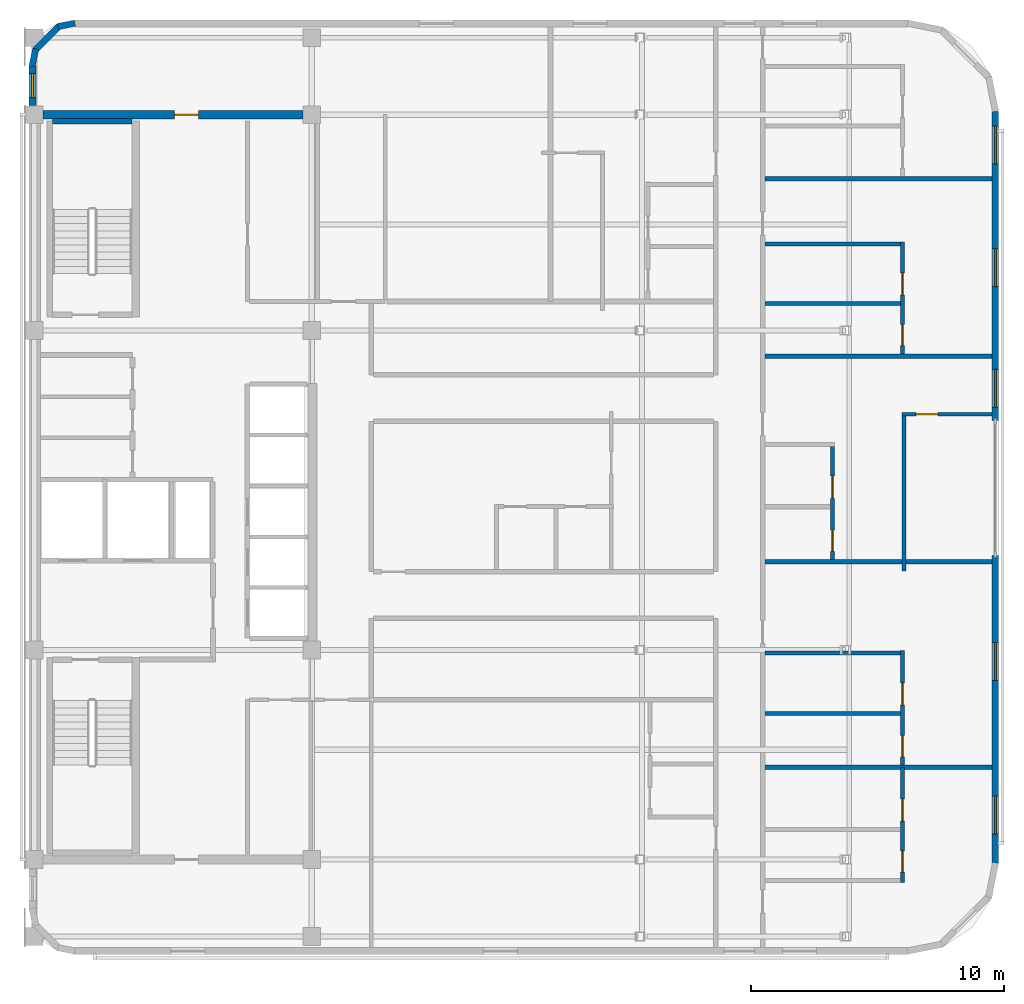
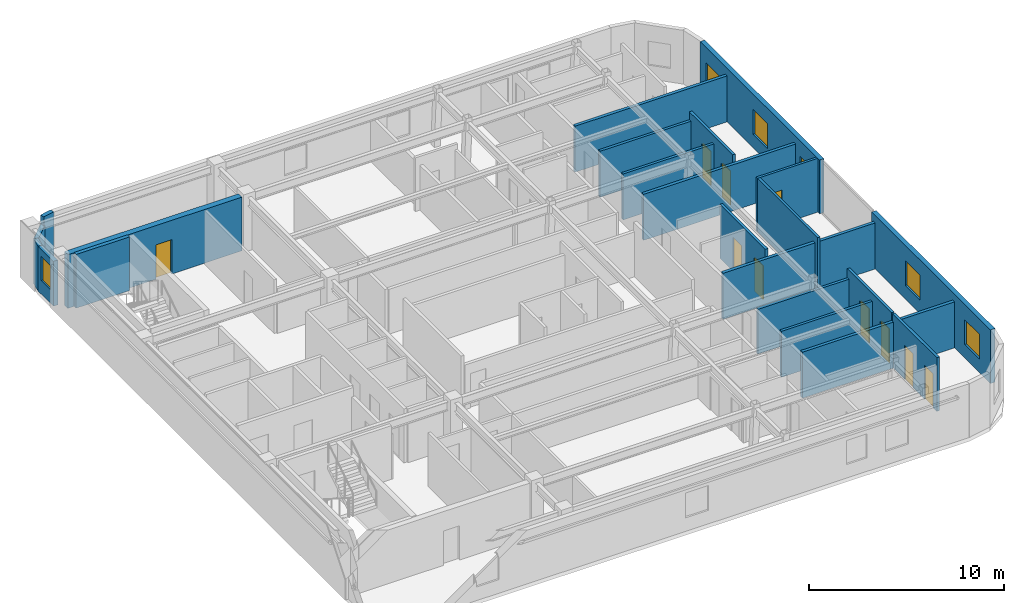
# One storey, part 6 of 10: 22 walls, 10 doors, 6 windows, 16 openings.
"""IFC4 building model written with IfcOpenShell, lengths in metres."""

from ifc_helpers import new_model, si_unit, direction, frame, frame_2d, origin, place, context, subcontext, project, spatial, rectangle, extrude, material, layer, layer_set, type_object, element, fill, save


model = new_model("IFC4")

# Units and contexts
model_context = context("Model", 3, precision=1e-05, world=origin(), true_north=direction((0.0, 1.0)))
body_context = subcontext(model_context, "Body", "Model", "MODEL_VIEW")
ifc_project = project(units=[si_unit("LENGTHUNIT", "METRE"), si_unit("AREAUNIT", "SQUARE_METRE"), si_unit("VOLUMEUNIT", "CUBIC_METRE"), si_unit("PLANEANGLEUNIT", "RADIAN"), si_unit("MASSUNIT", "GRAM", prefix="KILO")], contexts=[model_context])

# Site, building, storey
site_placement = place(None, origin())
site = spatial("IfcSite", under=ifc_project, at=site_placement, CompositionType="ELEMENT")
building_placement = place(site_placement, origin())
building = spatial("IfcBuilding", under=site, at=building_placement, Name="Ochreholt Gables", CompositionType="ELEMENT")
storey_placement = place(building_placement, frame((0.0, 0.0, 235.199951171875)))
storey = spatial("IfcBuildingStorey", under=building, at=storey_placement, Name="L61", CompositionType="ELEMENT", Elevation=235.199951171875)

# Wall, opening, door
ifc_material_1 = material(Name="Concrete 50 MPa", Category="concrete")
ifc_layer_1 = layer(ifc_material_1, 0.35009765625, Name="Concrete 50 MPa")
ifc_layer_set_1 = layer_set([ifc_layer_1], Name="Concrete 50 MPa")
wall_type_1 = type_object("IfcWallType", Name="WALL-CSW-350", PredefinedType="SHEAR", material=ifc_layer_set_1)
wall_1_placement = place(storey_placement, frame((24.550048828125, 38.75, 0.0), z_axis=(0.0, 0.0, 1.0), x_axis=(1.0, 0.0, 0.0)))
wall_1 = element("IfcWall", 1, at=wall_1_placement, inside=storey, type_object=wall_type_1, Name="L61 Core North Shear Wall", PredefinedType="SHEAR", context=body_context, shape_type="SweptSolid", body=[
    extrude(rectangle(XDim=10.300048828125, YDim=0.35009765625, at=frame_2d((5.14990234375, 0.0))), origin(), (0.0, 0.0, 1.0), 3.360107421875),
])
opening_1_placement = place(wall_1_placement, frame((5.199951171875, 0.0, 0.0)))
opening_1 = element("IfcOpeningElement", 2, at=opening_1_placement, cuts=wall_1, Name="Opening D-FL2", PredefinedType="OPENING", context=body_context, shape_type="SweptSolid", body=[
    extrude(rectangle(XDim=0.949951171875, YDim=2.14990234375, at=frame_2d((0.47509765625, 1.074951171875))), frame((0.0, 0.18505859375, 0.0), z_axis=(0.0, -1.0, 0.0), x_axis=(1.0, 0.0, 0.0)), (0.0, 0.0, 1.0), 0.3701171875),
])
ifc_material_2 = material(Name="Hollow Metal Steel", Category="steel")
door_type_1 = type_object("IfcDoorType", Name="DR-INT-FLB950", OperationType="NOTDEFINED", PredefinedType="DOOR", material=ifc_material_2)
door_1_placement = place(opening_1_placement, origin())
door_1 = element("IfcDoor", 3, at=door_1_placement, inside=storey, type_object=door_type_1, Name="L61 Door D-C3NSR-L61", OperationType="SINGLE_SWING_RIGHT", OverallHeight=2.14990234375, OverallWidth=0.949951171875, PredefinedType="DOOR", context=body_context, shape_type="SweptSolid", body=[
    extrude(rectangle(XDim=0.949951171875, YDim=2.14990234375, at=frame_2d((0.47509765625, 1.074951171875))), frame((0.0, 0.02490234375, 0.0), z_axis=(0.0, -1.0, 0.0), x_axis=(1.0, 0.0, 0.0)), (0.0, 0.0, 1.0), 0.050048828125),
])
fill(opening_1, door_1)

# Wall, openings, windows
ifc_material_3 = material(Name="Precast concrete 40 MPa", Category="concrete")
ifc_layer_2 = layer(ifc_material_3, 0.27001953125, Name="Precast concrete 40 MPa")
ifc_layer_set_2 = layer_set([ifc_layer_2], Name="Precast concrete 40 MPa")
wall_type_2 = type_object("IfcWallType", Name="WALL-EXT-270", PredefinedType="SOLIDWALL", material=ifc_layer_set_2)
wall_2_placement = place(storey_placement, frame((62.264892578125, 9.1201171875, 0.0), z_axis=(0.0, 0.0, 1.0), x_axis=(0.0, 1.0, 0.0)))
wall_2 = element("IfcWall", 4, at=wall_2_placement, inside=storey, type_object=wall_type_2, Name="L61 East Facade Wall 1", PredefinedType="SOLIDWALL", context=body_context, shape_type="SweptSolid", body=[
    extrude(rectangle(XDim=12.169921875, YDim=0.27001953125, at=frame_2d((6.0849609375, 0.0))), origin(), (0.0, 0.0, 1.0), 3.360107421875),
])
opening_2_placement = place(wall_2_placement, frame((1.139892578125, 0.0, 0.85009765625)))
opening_2 = element("IfcOpeningElement", 5, at=opening_2_placement, cuts=wall_2, Name="Opening WN-2", PredefinedType="OPENING", context=body_context, shape_type="SweptSolid", body=[
    extrude(rectangle(XDim=1.5, YDim=1.550048828125, at=frame_2d((0.75, 0.77490234375))), frame((0.0, 0.14501953125, 0.0), z_axis=(0.0, -1.0, 0.0), x_axis=(1.0, 0.0, 0.0)), (0.0, 0.0, 1.0), 0.2900390625),
])
opening_3_placement = place(wall_2_placement, frame((7.22509765625, 0.0, 0.85009765625)))
opening_3 = element("IfcOpeningElement", 6, at=opening_3_placement, cuts=wall_2, Name="Opening WN-2", PredefinedType="OPENING", context=body_context, shape_type="SweptSolid", body=[
    extrude(rectangle(XDim=1.5, YDim=1.550048828125, at=frame_2d((0.75, 0.77490234375))), frame((0.0, 0.14501953125, 0.0), z_axis=(0.0, -1.0, 0.0), x_axis=(1.0, 0.0, 0.0)), (0.0, 0.0, 1.0), 0.2900390625),
])
ifc_material_4 = material(Name="Triple-Glazed Thermally Broken Aluminium Window", Category="aluminium")
window_type_1 = type_object("IfcWindowType", Name="WIN-RES-1500", PartitioningType="SINGLE_PANEL", PredefinedType="WINDOW", material=ifc_material_4)
window_1_placement = place(opening_2_placement, origin())
window_1 = element("IfcWindow", 7, at=window_1_placement, inside=storey, type_object=window_type_1, Name="L61 Window W-EXT-E1-L61-1", OverallHeight=1.550048828125, OverallWidth=1.5, PartitioningType="SINGLE_PANEL", PredefinedType="WINDOW", context=body_context, shape_type="SweptSolid", body=[
    extrude(rectangle(XDim=1.5, YDim=1.550048828125, at=frame_2d((0.75, 0.77490234375))), frame((0.0, 0.030029296875, 0.0), z_axis=(0.0, -1.0, 0.0), x_axis=(1.0, 0.0, 0.0)), (0.0, 0.0, 1.0), 0.06005859375),
])
fill(opening_2, window_1)
window_2_placement = place(opening_3_placement, origin())
window_2 = element("IfcWindow", 8, at=window_2_placement, inside=storey, type_object=window_type_1, Name="L61 Window W-EXT-E1-L61-2", OverallHeight=1.550048828125, OverallWidth=1.5, PartitioningType="SINGLE_PANEL", PredefinedType="WINDOW", context=body_context, shape_type="SweptSolid", body=[
    extrude(rectangle(XDim=1.5, YDim=1.550048828125, at=frame_2d((0.75, 0.77490234375))), frame((0.0, 0.030029296875, 0.0), z_axis=(0.0, -1.0, 0.0), x_axis=(1.0, 0.0, 0.0)), (0.0, 0.0, 1.0), 0.06005859375),
])
fill(opening_3, window_2)

wall_3_placement = place(storey_placement, frame((62.264892578125, 26.639892578125, 0.0), z_axis=(0.0, 0.0, 1.0), x_axis=(0.0, 1.0, 0.0)))
wall_3 = element("IfcWall", 9, at=wall_3_placement, inside=storey, type_object=wall_type_2, Name="L61 East Facade Wall 2", PredefinedType="SOLIDWALL", context=body_context, shape_type="SweptSolid", body=[
    extrude(rectangle(XDim=12.239990234375, YDim=0.27001953125, at=frame_2d((6.1201171875, 0.0))), origin(), (0.0, 0.0, 1.0), 3.360107421875),
])
opening_4_placement = place(wall_3_placement, frame((0.52001953125, 0.0, 0.85009765625)))
opening_4 = element("IfcOpeningElement", 10, at=opening_4_placement, cuts=wall_3, Name="Opening WN-2", PredefinedType="OPENING", context=body_context, shape_type="SweptSolid", body=[
    extrude(rectangle(XDim=1.5, YDim=1.550048828125, at=frame_2d((0.75, 0.77490234375))), frame((0.0, 0.14501953125, 0.0), z_axis=(0.0, -1.0, 0.0), x_axis=(1.0, 0.0, 0.0)), (0.0, 0.0, 1.0), 0.2900390625),
])
opening_5_placement = place(wall_3_placement, frame((5.304931640625, 0.0, 0.85009765625)))
opening_5 = element("IfcOpeningElement", 11, at=opening_5_placement, cuts=wall_3, Name="Opening WN-2", PredefinedType="OPENING", context=body_context, shape_type="SweptSolid", body=[
    extrude(rectangle(XDim=1.5, YDim=1.550048828125, at=frame_2d((0.75, 0.77490234375))), frame((0.0, 0.14501953125, 0.0), z_axis=(0.0, -1.0, 0.0), x_axis=(1.0, 0.0, 0.0)), (0.0, 0.0, 1.0), 0.2900390625),
])
opening_6_placement = place(wall_3_placement, frame((10.155029296875, 0.0, 0.85009765625)))
opening_6 = element("IfcOpeningElement", 12, at=opening_6_placement, cuts=wall_3, Name="Opening WN-2", PredefinedType="OPENING", context=body_context, shape_type="SweptSolid", body=[
    extrude(rectangle(XDim=1.5, YDim=1.550048828125, at=frame_2d((0.75, 0.77490234375))), frame((0.0, 0.14501953125, 0.0), z_axis=(0.0, -1.0, 0.0), x_axis=(1.0, 0.0, 0.0)), (0.0, 0.0, 1.0), 0.2900390625),
])
window_3_placement = place(opening_4_placement, origin())
window_3 = element("IfcWindow", 13, at=window_3_placement, inside=storey, type_object=window_type_1, Name="L61 Window W-EXT-E2-L61-1", OverallHeight=1.550048828125, OverallWidth=1.5, PartitioningType="SINGLE_PANEL", PredefinedType="WINDOW", context=body_context, shape_type="SweptSolid", body=[
    extrude(rectangle(XDim=1.5, YDim=1.550048828125, at=frame_2d((0.75, 0.77490234375))), frame((0.0, 0.030029296875, 0.0), z_axis=(0.0, -1.0, 0.0), x_axis=(1.0, 0.0, 0.0)), (0.0, 0.0, 1.0), 0.06005859375),
])
fill(opening_4, window_3)
window_4_placement = place(opening_5_placement, origin())
window_4 = element("IfcWindow", 14, at=window_4_placement, inside=storey, type_object=window_type_1, Name="L61 Window W-EXT-E2-L61-2", OverallHeight=1.550048828125, OverallWidth=1.5, PartitioningType="SINGLE_PANEL", PredefinedType="WINDOW", context=body_context, shape_type="SweptSolid", body=[
    extrude(rectangle(XDim=1.5, YDim=1.550048828125, at=frame_2d((0.75, 0.77490234375))), frame((0.0, 0.030029296875, 0.0), z_axis=(0.0, -1.0, 0.0), x_axis=(1.0, 0.0, 0.0)), (0.0, 0.0, 1.0), 0.06005859375),
])
fill(opening_5, window_4)
window_5_placement = place(opening_6_placement, origin())
window_5 = element("IfcWindow", 15, at=window_5_placement, inside=storey, type_object=window_type_1, Name="L61 Window W-EXT-E2-L61-3", OverallHeight=1.550048828125, OverallWidth=1.5, PartitioningType="SINGLE_PANEL", PredefinedType="WINDOW", context=body_context, shape_type="SweptSolid", body=[
    extrude(rectangle(XDim=1.5, YDim=1.550048828125, at=frame_2d((0.75, 0.77490234375))), frame((0.0, 0.030029296875, 0.0), z_axis=(0.0, -1.0, 0.0), x_axis=(1.0, 0.0, 0.0)), (0.0, 0.0, 1.0), 0.06005859375),
])
fill(opening_6, window_5)

# Wall, opening, window
wall_4_placement = place(storey_placement, frame((24.135009765625, 39.1201171875, 0.0), z_axis=(0.0, 0.0, 1.0), x_axis=(0.0, 1.0, 0.0)))
wall_4 = element("IfcWall", 16, at=wall_4_placement, inside=storey, type_object=wall_type_2, Name="L61 West Facade North Bay Wall", PredefinedType="SOLIDWALL", context=body_context, shape_type="SweptSolid", body=[
    extrude(rectangle(XDim=1.559814453125, YDim=0.27001953125, at=frame_2d((0.77978515625, 0.0))), origin(), (0.0, 0.0, 1.0), 2.802978515625),
])
opening_7_placement = place(wall_4_placement, frame((0.304931640625, 0.0, 0.85009765625)))
opening_7 = element("IfcOpeningElement", 17, at=opening_7_placement, cuts=wall_4, Name="Opening WN-10", PredefinedType="OPENING", context=body_context, shape_type="SweptSolid", body=[
    extrude(rectangle(XDim=0.949951171875, YDim=1.5, at=frame_2d((0.47509765625, 0.75))), frame((0.0, 0.14501953125, 0.0), z_axis=(0.0, -1.0, 0.0), x_axis=(1.0, 0.0, 0.0)), (0.0, 0.0, 1.0), 0.2900390625),
])
window_type_2 = type_object("IfcWindowType", Name="WIN-RES-950", PartitioningType="SINGLE_PANEL", PredefinedType="WINDOW", material=ifc_material_4)
window_6_placement = place(opening_7_placement, origin())
window_6 = element("IfcWindow", 18, at=window_6_placement, inside=storey, type_object=window_type_2, Name="L61 North Sky Reading West Window", OverallHeight=1.5, OverallWidth=0.949951171875, PartitioningType="SINGLE_PANEL", PredefinedType="WINDOW", context=body_context, shape_type="SweptSolid", body=[
    extrude(rectangle(XDim=0.949951171875, YDim=1.5, at=frame_2d((0.47509765625, 0.75))), frame((0.0, 0.030029296875, 0.0), z_axis=(0.0, -1.0, 0.0), x_axis=(1.0, 0.0, 0.0)), (0.0, 0.0, 1.0), 0.06005859375),
])
fill(opening_7, window_6)

# Walls
ifc_layer_3 = layer(ifc_material_3, 0.25, Name="Precast concrete 40 MPa")
ifc_layer_set_3 = layer_set([ifc_layer_3], Name="Precast concrete 40 MPa")
wall_type_3 = type_object("IfcWallType", Name="WALL-EXT-CNR", PredefinedType="SOLIDWALL", material=ifc_layer_set_3)
wall_5_placement = place(storey_placement, frame((25.81640625, 42.375732421875, 0.0), z_axis=(0.0, 0.0, 1.0), x_axis=(-0.980812594069, -0.194952956674, 0.0)))
element("IfcWall", 19, at=wall_5_placement, inside=storey, type_object=wall_type_3, Name="L61 Rounded Corner Wall NW-1", PredefinedType="SOLIDWALL", context=body_context, shape_type="SweptSolid", body=[
    extrude(rectangle(XDim=0.686279296875, YDim=0.25, at=frame_2d((0.34326171875, 0.0))), origin(), (0.0, 0.0, 1.0), 3.360107421875),
])
wall_6_placement = place(storey_placement, frame((25.19384765625, 42.26904296875, 0.0), z_axis=(0.0, 0.0, 1.0), x_axis=(-0.707106781187, -0.707106781187, 0.0)))
element("IfcWall", 20, at=wall_6_placement, inside=storey, type_object=wall_type_3, Name="L61 Rounded Corner Wall NW-2", PredefinedType="SOLIDWALL", context=body_context, shape_type="SweptSolid", body=[
    extrude(rectangle(XDim=1.36181640625, YDim=0.25, at=frame_2d((0.680908203125, 0.0))), origin(), (0.0, 0.0, 1.0), 2.802978515625),
])
wall_7_placement = place(storey_placement, frame((24.258056640625, 41.356689453125, 0.0), z_axis=(0.0, 0.0, 1.0), x_axis=(-0.194952956674, -0.980812594069, 0.0)))
element("IfcWall", 21, at=wall_7_placement, inside=storey, type_object=wall_type_3, Name="L61 Rounded Corner Wall NW-3", PredefinedType="SOLIDWALL", context=body_context, shape_type="SweptSolid", body=[
    extrude(rectangle(XDim=0.686279296875, YDim=0.25, at=frame_2d((0.34326171875, 0.0))), origin(), (0.0, 0.0, 1.0), 2.802978515625),
])
ifc_material_5 = material(Name="Double-Stud Acoustic Demising Wall", Category="gypsum")
ifc_layer_4 = layer(ifc_material_5, 0.18505859375, Name="Double-Stud Acoustic Demising Wall")
ifc_layer_set_4 = layer_set([ifc_layer_4], Name="Double-Stud Acoustic Demising Wall")
wall_type_4 = type_object("IfcWallType", Name="WALL-INT-DM185", PredefinedType="PARTITIONING", material=ifc_layer_set_4)
for number, where, z_axis, x_axis, name in (
    (22, (53.139892578125, 12.89990234375, 0.0), (0.0, 0.0, 1.0), (1.0, 0.0, 0.0), "L61 Interior Wall WI-C3UDE2-L61"),
    (23, (53.139892578125, 21.0400390625, 0.0), (0.0, 0.0, 1.0), (1.0, 0.0, 0.0), "L61 Interior Wall WI-C3UDE3-L61"),
    (24, (53.139892578125, 29.179931640625, 0.0), (0.0, 0.0, 1.0), (1.0, 0.0, 0.0), "L61 Interior Wall WI-C3UDE4-L61"),
    (25, (53.139892578125, 36.2099609375, 0.0), (0.0, 0.0, 1.0), (1.0, 0.0, 0.0), "L61 Interior Wall WI-C3UDE5-L61"),
):
    element("IfcWall", number, at=place(storey_placement, frame(where, z_axis=z_axis, x_axis=x_axis)), inside=storey, type_object=wall_type_4, Name=name, PredefinedType="PARTITIONING", context=body_context, shape_type="SweptSolid", body=[
        extrude(rectangle(XDim=8.989990234375, YDim=0.18505859375, at=frame_2d((4.4951171875, 0.0))), origin(), (0.0, 0.0, 1.0), 2.879150390625),
    ])

# Wall, openings, doors
ifc_material_6 = material(Name="Moisture-Resistant Plumbing Chase Wall", Category="gypsum")
ifc_layer_5 = layer(ifc_material_6, 0.159912109375, Name="Moisture-Resistant Plumbing Chase Wall")
ifc_layer_set_5 = layer_set([ifc_layer_5], Name="Moisture-Resistant Plumbing Chase Wall")
wall_type_5 = type_object("IfcWallType", Name="WALL-INT-PL160", PredefinedType="PLUMBINGWALL", material=ifc_layer_set_5)
wall_8_placement = place(storey_placement, frame((58.590087890625, 8.336669921875, 0.0), z_axis=(0.0, 0.0, 1.0), x_axis=(0.0, 1.0, 0.0)))
wall_8 = element("IfcWall", 26, at=wall_8_placement, inside=storey, type_object=wall_type_5, Name="L61 Interior Wall WU-L61E1-WX", PredefinedType="PLUMBINGWALL", context=body_context, shape_type="SweptSolid", body=[
    extrude(rectangle(XDim=4.563232421875, YDim=0.159912109375, at=frame_2d((2.28173828125, 0.0))), origin(), (0.0, 0.0, 1.0), 3.360107421875),
])
opening_8_placement = place(wall_8_placement, frame((0.419921875, 0.0, 0.0)))
opening_8 = element("IfcOpeningElement", 27, at=opening_8_placement, cuts=wall_8, Name="Opening D-BT2", PredefinedType="OPENING", context=body_context, shape_type="SweptSolid", body=[
    extrude(rectangle(XDim=0.840087890625, YDim=2.1201171875, at=frame_2d((0.419921875, 1.06005859375))), frame((0.0, 0.08984375, 0.0), z_axis=(0.0, -1.0, 0.0), x_axis=(1.0, 0.0, 0.0)), (0.0, 0.0, 1.0), 0.179931640625),
])
opening_9_placement = place(wall_8_placement, frame((2.436279296875, 0.0, 0.0)))
opening_9 = element("IfcOpeningElement", 28, at=opening_9_placement, cuts=wall_8, Name="Opening D-GN2", PredefinedType="OPENING", context=body_context, shape_type="SweptSolid", body=[
    extrude(rectangle(XDim=0.8798828125, YDim=2.1201171875, at=frame_2d((0.43994140625, 1.06005859375))), frame((0.0, 0.08984375, 0.0), z_axis=(0.0, -1.0, 0.0), x_axis=(1.0, 0.0, 0.0)), (0.0, 0.0, 1.0), 0.179931640625),
])
ifc_material_7 = material(Name="Engineered Oak Timber", Category="wood")
door_type_2 = type_object("IfcDoorType", Name="DR-INT-BTH840", OperationType="NOTDEFINED", PredefinedType="DOOR", material=ifc_material_7)
door_2_placement = place(opening_8_placement, origin())
door_2 = element("IfcDoor", 29, at=door_2_placement, inside=storey, type_object=door_type_2, Name="L61 Door D-U-L61E1-BTH", OperationType="SINGLE_SWING_LEFT", OverallHeight=2.1201171875, OverallWidth=0.840087890625, PredefinedType="DOOR", context=body_context, shape_type="SweptSolid", body=[
    extrude(rectangle(XDim=0.840087890625, YDim=2.1201171875, at=frame_2d((0.419921875, 1.06005859375))), frame((0.0, 0.02490234375, 0.0), z_axis=(0.0, -1.0, 0.0), x_axis=(1.0, 0.0, 0.0)), (0.0, 0.0, 1.0), 0.050048828125),
])
fill(opening_8, door_2)
door_type_3 = type_object("IfcDoorType", Name="DR-INT-GEN880", OperationType="NOTDEFINED", PredefinedType="DOOR", material=ifc_material_7)
door_3_placement = place(opening_9_placement, origin())
door_3 = element("IfcDoor", 30, at=door_3_placement, inside=storey, type_object=door_type_3, Name="L61 Door D-U-L61E1-KIT", OperationType="SINGLE_SWING_RIGHT", OverallHeight=2.1201171875, OverallWidth=0.8798828125, PredefinedType="DOOR", context=body_context, shape_type="SweptSolid", body=[
    extrude(rectangle(XDim=0.8798828125, YDim=2.1201171875, at=frame_2d((0.43994140625, 1.06005859375))), frame((0.0, 0.02490234375, 0.0), z_axis=(0.0, -1.0, 0.0), x_axis=(1.0, 0.0, 0.0)), (0.0, 0.0, 1.0), 0.050048828125),
])
fill(opening_9, door_3)

# Wall
wall_9_placement = place(storey_placement, frame((53.139892578125, 17.43994140625, 0.0), z_axis=(0.0, 0.0, 1.0), x_axis=(1.0, 0.0, 0.0)))
element("IfcWall", 31, at=wall_9_placement, inside=storey, type_object=wall_type_5, Name="L61 Interior Wall WU-L61E2-WYN", PredefinedType="PLUMBINGWALL", context=body_context, shape_type="SweptSolid", body=[
    extrude(rectangle(XDim=5.530029296875, YDim=0.159912109375, at=frame_2d((2.76513671875, 0.0))), origin(), (0.0, 0.0, 1.0), 2.802978515625),
])

# Wall, openings, doors
wall_10_placement = place(storey_placement, frame((58.590087890625, 12.992431640625, 0.0), z_axis=(0.0, 0.0, 1.0), x_axis=(0.0, 1.0, 0.0)))
wall_10 = element("IfcWall", 32, at=wall_10_placement, inside=storey, type_object=wall_type_5, Name="L61 Interior Wall WU-L61E2-WX", PredefinedType="PLUMBINGWALL", context=body_context, shape_type="SweptSolid", body=[
    extrude(rectangle(XDim=4.53759765625, YDim=0.159912109375, at=frame_2d((2.268798828125, 0.0))), origin(), (0.0, 0.0, 1.0), 3.360107421875),
])
opening_10_placement = place(wall_10_placement, frame((0.327392578125, 0.0, 0.0)))
opening_10 = element("IfcOpeningElement", 33, at=opening_10_placement, cuts=wall_10, Name="Opening D-BT2", PredefinedType="OPENING", context=body_context, shape_type="SweptSolid", body=[
    extrude(rectangle(XDim=0.840087890625, YDim=2.1201171875, at=frame_2d((0.419921875, 1.06005859375))), frame((0.0, 0.08984375, 0.0), z_axis=(0.0, -1.0, 0.0), x_axis=(1.0, 0.0, 0.0)), (0.0, 0.0, 1.0), 0.179931640625),
])
opening_11_placement = place(wall_10_placement, frame((2.37451171875, 0.0, 0.0)))
opening_11 = element("IfcOpeningElement", 34, at=opening_11_placement, cuts=wall_10, Name="Opening D-GN2", PredefinedType="OPENING", context=body_context, shape_type="SweptSolid", body=[
    extrude(rectangle(XDim=0.8798828125, YDim=2.1201171875, at=frame_2d((0.43994140625, 1.06005859375))), frame((0.0, 0.08984375, 0.0), z_axis=(0.0, -1.0, 0.0), x_axis=(1.0, 0.0, 0.0)), (0.0, 0.0, 1.0), 0.179931640625),
])
door_4_placement = place(opening_10_placement, origin())
door_4 = element("IfcDoor", 35, at=door_4_placement, inside=storey, type_object=door_type_2, Name="L61 Door D-U-L61E2-BTH", OperationType="SINGLE_SWING_RIGHT", OverallHeight=2.1201171875, OverallWidth=0.840087890625, PredefinedType="DOOR", context=body_context, shape_type="SweptSolid", body=[
    extrude(rectangle(XDim=0.840087890625, YDim=2.1201171875, at=frame_2d((0.419921875, 1.06005859375))), frame((0.0, 0.02490234375, 0.0), z_axis=(0.0, -1.0, 0.0), x_axis=(1.0, 0.0, 0.0)), (0.0, 0.0, 1.0), 0.050048828125),
])
fill(opening_10, door_4)
door_5_placement = place(opening_11_placement, origin())
door_5 = element("IfcDoor", 36, at=door_5_placement, inside=storey, type_object=door_type_3, Name="L61 Door D-U-L61E2-KIT", OperationType="SINGLE_SWING_LEFT", OverallHeight=2.1201171875, OverallWidth=0.8798828125, PredefinedType="DOOR", context=body_context, shape_type="SweptSolid", body=[
    extrude(rectangle(XDim=0.8798828125, YDim=2.1201171875, at=frame_2d((0.43994140625, 1.06005859375))), frame((0.0, 0.02490234375, 0.0), z_axis=(0.0, -1.0, 0.0), x_axis=(1.0, 0.0, 0.0)), (0.0, 0.0, 1.0), 0.050048828125),
])
fill(opening_11, door_5)

# Wall
wall_11_placement = place(storey_placement, frame((53.139892578125, 15.037109375, 0.0), z_axis=(0.0, 0.0, 1.0), x_axis=(1.0, 0.0, 0.0)))
element("IfcWall", 37, at=wall_11_placement, inside=storey, type_object=wall_type_5, Name="L61 Interior Wall WU-L61E2-WM", PredefinedType="PLUMBINGWALL", context=body_context, shape_type="SweptSolid", body=[
    extrude(rectangle(XDim=5.3701171875, YDim=0.159912109375, at=frame_2d((2.68505859375, 0.0))), origin(), (0.0, 0.0, 1.0), 2.879150390625),
])

# Wall, openings, doors
wall_12_placement = place(storey_placement, frame((55.818115234375, 21.132568359375, 0.0), z_axis=(0.0, 0.0, 1.0), x_axis=(0.0, 1.0, 0.0)))
wall_12 = element("IfcWall", 38, at=wall_12_placement, inside=storey, type_object=wall_type_5, Name="L61 Interior Wall WU-L61E3-WX", PredefinedType="PLUMBINGWALL", context=body_context, shape_type="SweptSolid", body=[
    extrude(rectangle(XDim=4.637451171875, YDim=0.159912109375, at=frame_2d((2.31884765625, 0.0))), origin(), (0.0, 0.0, 1.0), 3.360107421875),
])
opening_12_placement = place(wall_12_placement, frame((0.327392578125, 0.0, 0.0)))
opening_12 = element("IfcOpeningElement", 39, at=opening_12_placement, cuts=wall_12, Name="Opening D-BT2", PredefinedType="OPENING", context=body_context, shape_type="SweptSolid", body=[
    extrude(rectangle(XDim=0.840087890625, YDim=2.1201171875, at=frame_2d((0.419921875, 1.06005859375))), frame((0.0, 0.08984375, 0.0), z_axis=(0.0, -1.0, 0.0), x_axis=(1.0, 0.0, 0.0)), (0.0, 0.0, 1.0), 0.179931640625),
])
opening_13_placement = place(wall_12_placement, frame((2.42041015625, 0.0, 0.0)))
opening_13 = element("IfcOpeningElement", 40, at=opening_13_placement, cuts=wall_12, Name="Opening D-GN2", PredefinedType="OPENING", context=body_context, shape_type="SweptSolid", body=[
    extrude(rectangle(XDim=0.8798828125, YDim=2.1201171875, at=frame_2d((0.43994140625, 1.06005859375))), frame((0.0, 0.08984375, 0.0), z_axis=(0.0, -1.0, 0.0), x_axis=(1.0, 0.0, 0.0)), (0.0, 0.0, 1.0), 0.179931640625),
])
door_6_placement = place(opening_12_placement, origin())
door_6 = element("IfcDoor", 41, at=door_6_placement, inside=storey, type_object=door_type_2, Name="L61 Door D-U-L61E3-BTH", OperationType="SINGLE_SWING_LEFT", OverallHeight=2.1201171875, OverallWidth=0.840087890625, PredefinedType="DOOR", context=body_context, shape_type="SweptSolid", body=[
    extrude(rectangle(XDim=0.840087890625, YDim=2.1201171875, at=frame_2d((0.419921875, 1.06005859375))), frame((0.0, 0.02490234375, 0.0), z_axis=(0.0, -1.0, 0.0), x_axis=(1.0, 0.0, 0.0)), (0.0, 0.0, 1.0), 0.050048828125),
])
fill(opening_12, door_6)
door_7_placement = place(opening_13_placement, origin())
door_7 = element("IfcDoor", 42, at=door_7_placement, inside=storey, type_object=door_type_3, Name="L61 Door D-U-L61E3-KIT", OperationType="SINGLE_SWING_RIGHT", OverallHeight=2.1201171875, OverallWidth=0.8798828125, PredefinedType="DOOR", context=body_context, shape_type="SweptSolid", body=[
    extrude(rectangle(XDim=0.8798828125, YDim=2.1201171875, at=frame_2d((0.43994140625, 1.06005859375))), frame((0.0, 0.02490234375, 0.0), z_axis=(0.0, -1.0, 0.0), x_axis=(1.0, 0.0, 0.0)), (0.0, 0.0, 1.0), 0.050048828125),
])
fill(opening_13, door_7)

# Wall
wall_13_placement = place(storey_placement, frame((53.139892578125, 33.6201171875, 0.0), z_axis=(0.0, 0.0, 1.0), x_axis=(1.0, 0.0, 0.0)))
element("IfcWall", 43, at=wall_13_placement, inside=storey, type_object=wall_type_5, Name="L61 Interior Wall WU-L61E4-WYN", PredefinedType="PLUMBINGWALL", context=body_context, shape_type="SweptSolid", body=[
    extrude(rectangle(XDim=5.530029296875, YDim=0.159912109375, at=frame_2d((2.76513671875, 0.0))), origin(), (0.0, 0.0, 1.0), 2.879150390625),
])

# Wall, openings, doors
wall_14_placement = place(storey_placement, frame((58.590087890625, 29.2724609375, 0.0), z_axis=(0.0, 0.0, 1.0), x_axis=(0.0, 1.0, 0.0)))
wall_14 = element("IfcWall", 44, at=wall_14_placement, inside=storey, type_object=wall_type_5, Name="L61 Interior Wall WU-L61E4-WX", PredefinedType="PLUMBINGWALL", context=body_context, shape_type="SweptSolid", body=[
    extrude(rectangle(XDim=4.4375, YDim=0.159912109375, at=frame_2d((2.21875, 0.0))), origin(), (0.0, 0.0, 1.0), 3.360107421875),
])
opening_14_placement = place(wall_14_placement, frame((0.327392578125, 0.0, 0.0)))
opening_14 = element("IfcOpeningElement", 45, at=opening_14_placement, cuts=wall_14, Name="Opening D-BT2", PredefinedType="OPENING", context=body_context, shape_type="SweptSolid", body=[
    extrude(rectangle(XDim=0.840087890625, YDim=2.1201171875, at=frame_2d((0.419921875, 1.06005859375))), frame((0.0, 0.08984375, 0.0), z_axis=(0.0, -1.0, 0.0), x_axis=(1.0, 0.0, 0.0)), (0.0, 0.0, 1.0), 0.179931640625),
])
opening_15_placement = place(wall_14_placement, frame((2.32861328125, 0.0, 0.0)))
opening_15 = element("IfcOpeningElement", 46, at=opening_15_placement, cuts=wall_14, Name="Opening D-GN2", PredefinedType="OPENING", context=body_context, shape_type="SweptSolid", body=[
    extrude(rectangle(XDim=0.8798828125, YDim=2.1201171875, at=frame_2d((0.43994140625, 1.06005859375))), frame((0.0, 0.08984375, 0.0), z_axis=(0.0, -1.0, 0.0), x_axis=(1.0, 0.0, 0.0)), (0.0, 0.0, 1.0), 0.179931640625),
])
door_8_placement = place(opening_14_placement, origin())
door_8 = element("IfcDoor", 47, at=door_8_placement, inside=storey, type_object=door_type_2, Name="L61 Door D-U-L61E4-BTH", OperationType="SINGLE_SWING_RIGHT", OverallHeight=2.1201171875, OverallWidth=0.840087890625, PredefinedType="DOOR", context=body_context, shape_type="SweptSolid", body=[
    extrude(rectangle(XDim=0.840087890625, YDim=2.1201171875, at=frame_2d((0.419921875, 1.06005859375))), frame((0.0, 0.02490234375, 0.0), z_axis=(0.0, -1.0, 0.0), x_axis=(1.0, 0.0, 0.0)), (0.0, 0.0, 1.0), 0.050048828125),
])
fill(opening_14, door_8)
door_9_placement = place(opening_15_placement, origin())
door_9 = element("IfcDoor", 48, at=door_9_placement, inside=storey, type_object=door_type_3, Name="L61 Door D-U-L61E4-KIT", OperationType="SINGLE_SWING_LEFT", OverallHeight=2.1201171875, OverallWidth=0.8798828125, PredefinedType="DOOR", context=body_context, shape_type="SweptSolid", body=[
    extrude(rectangle(XDim=0.8798828125, YDim=2.1201171875, at=frame_2d((0.43994140625, 1.06005859375))), frame((0.0, 0.02490234375, 0.0), z_axis=(0.0, -1.0, 0.0), x_axis=(1.0, 0.0, 0.0)), (0.0, 0.0, 1.0), 0.050048828125),
])
fill(opening_15, door_9)

# Walls
wall_15_placement = place(storey_placement, frame((53.139892578125, 31.27099609375, 0.0), z_axis=(0.0, 0.0, 1.0), x_axis=(1.0, 0.0, 0.0)))
element("IfcWall", 49, at=wall_15_placement, inside=storey, type_object=wall_type_5, Name="L61 Interior Wall WU-L61E4-WM", PredefinedType="PLUMBINGWALL", context=body_context, shape_type="SweptSolid", body=[
    extrude(rectangle(XDim=5.3701171875, YDim=0.159912109375, at=frame_2d((2.68505859375, 0.0))), origin(), (0.0, 0.0, 1.0), 2.879150390625),
])
ifc_material_8 = material(Name="Lightweight Stud Partition", Category="gypsum")
ifc_layer_6 = layer(ifc_material_8, 0.14501953125, Name="Lightweight Stud Partition")
ifc_layer_set_6 = layer_set([ifc_layer_6], Name="Lightweight Stud Partition")
wall_type_6 = type_object("IfcWallType", Name="WALL-INT-PT145", PredefinedType="PARTITIONING", material=ifc_layer_set_6)
wall_16_placement = place(storey_placement, frame((58.64990234375, 20.679931640625, 0.0), z_axis=(0.0, 0.0, 1.0), x_axis=(0.0, 1.0, 0.0)))
element("IfcWall", 50, at=wall_16_placement, inside=storey, type_object=wall_type_6, Name="L61 Interior Wall WU-L61E3-STW", PredefinedType="PARTITIONING", context=body_context, shape_type="SweptSolid", body=[
    extrude(rectangle(XDim=6.2099609375, YDim=0.14501953125, at=frame_2d((3.10498046875, 0.0))), origin(), (0.0, 0.0, 1.0), 3.360107421875),
])

# Wall, opening, door
wall_17_placement = place(storey_placement, frame((58.570068359375, 26.889892578125, 0.0), z_axis=(0.0, 0.0, 1.0), x_axis=(1.0, 0.0, 0.0)))
wall_17 = element("IfcWall", 51, at=wall_17_placement, inside=storey, type_object=wall_type_6, Name="L61 Interior Wall WU-L61E3-STN", PredefinedType="PARTITIONING", context=body_context, shape_type="SweptSolid", body=[
    extrude(rectangle(XDim=3.559814453125, YDim=0.14501953125, at=frame_2d((1.77978515625, 0.0))), origin(), (0.0, 0.0, 1.0), 3.360107421875),
])
opening_16_placement = place(wall_17_placement, frame((0.550048828125, 0.0, 0.0)))
opening_16 = element("IfcOpeningElement", 52, at=opening_16_placement, cuts=wall_17, Name="Opening D-GN2", PredefinedType="OPENING", context=body_context, shape_type="SweptSolid", body=[
    extrude(rectangle(XDim=0.8798828125, YDim=2.1201171875, at=frame_2d((0.43994140625, 1.06005859375))), frame((0.0, 0.08251953125, 0.0), z_axis=(0.0, -1.0, 0.0), x_axis=(1.0, 0.0, 0.0)), (0.0, 0.0, 1.0), 0.1650390625),
])
door_10_placement = place(opening_16_placement, origin())
door_10 = element("IfcDoor", 53, at=door_10_placement, inside=storey, type_object=door_type_3, Name="L61 Door D-U-L61E3-STD", OperationType="SINGLE_SWING_LEFT", OverallHeight=2.1201171875, OverallWidth=0.8798828125, PredefinedType="DOOR", context=body_context, shape_type="SweptSolid", body=[
    extrude(rectangle(XDim=0.8798828125, YDim=2.1201171875, at=frame_2d((0.43994140625, 1.06005859375))), frame((0.0, 0.02490234375, 0.0), z_axis=(0.0, -1.0, 0.0), x_axis=(1.0, 0.0, 0.0)), (0.0, 0.0, 1.0), 0.050048828125),
])
fill(opening_16, door_10)

# Wall
ifc_layer_7 = layer(ifc_material_1, 0.219970703125, Name="Concrete 50 MPa")
ifc_layer_set_7 = layer_set([ifc_layer_7], Name="Concrete 50 MPa")
wall_type_7 = type_object("IfcWallType", Name="WALL-STW-220", PredefinedType="SHEAR", material=ifc_layer_set_7)
wall_18_placement = place(storey_placement, frame((24.919921875, 38.489990234375, 0.0), z_axis=(0.0, 0.0, 1.0), x_axis=(1.0, 0.0, 0.0)))
element("IfcWall", 54, at=wall_18_placement, inside=storey, type_object=wall_type_7, Name="L61 Exit Stair 2 North Wall", PredefinedType="SHEAR", context=body_context, shape_type="SweptSolid", body=[
    extrude(rectangle(XDim=3.16015625, YDim=0.219970703125, at=frame_2d((1.580078125, 0.0))), origin(), (0.0, 0.0, 1.0), 3.360107421875),
])

save(model, "model.ifc")
